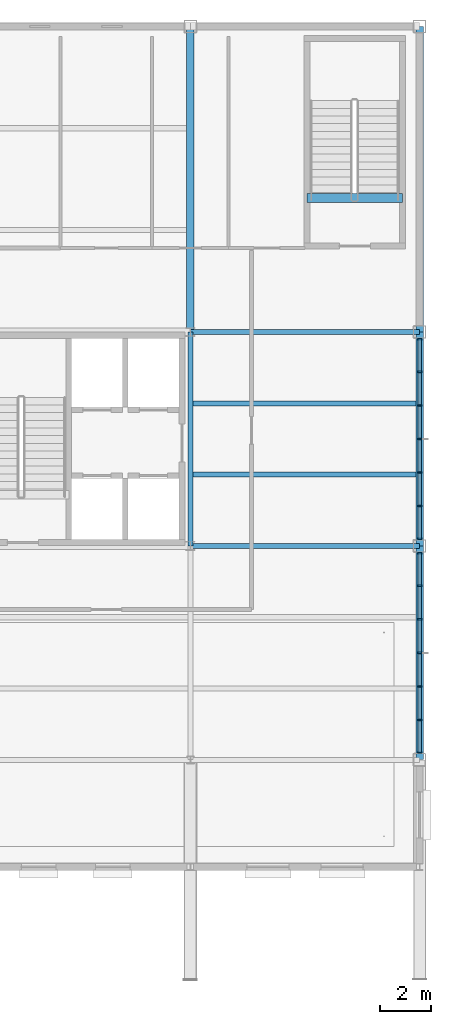
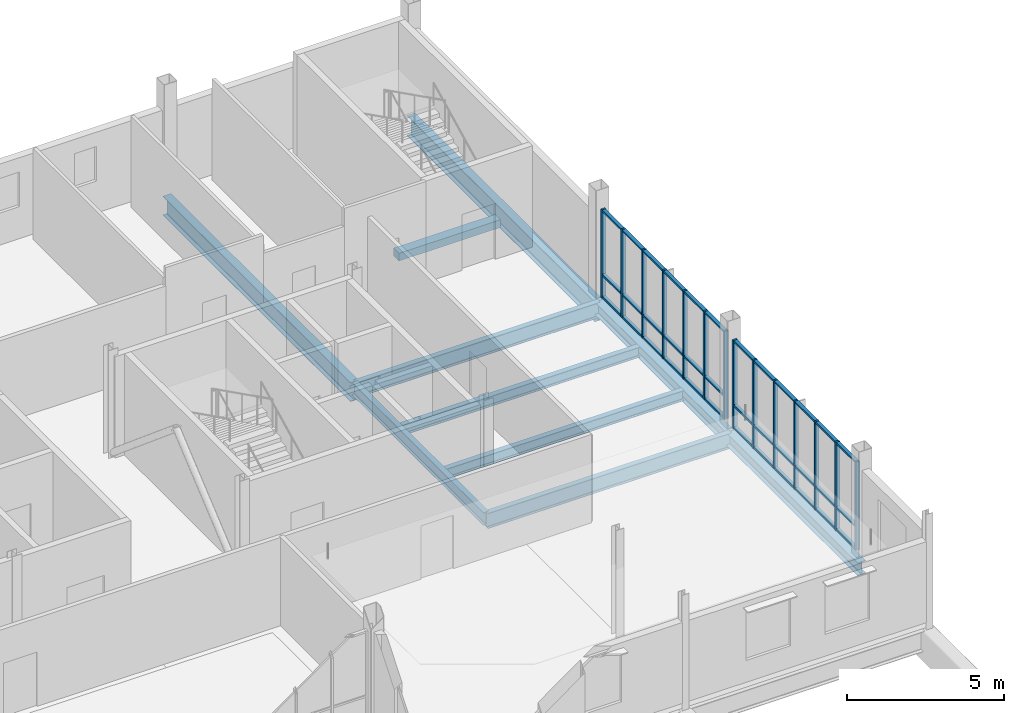
# One storey, part 8 of 22: 50 members, 10 beams, 2 elements without a shape of their own.
"""IFC4 building model written with IfcOpenShell, lengths in metres."""

from ifc_helpers import new_model, si_unit, direction, frame, origin, origin_2d, place, context, subcontext, project, spatial, rectangle, i_section, extrude, material, layer, layer_set, material_profile, profile_set, type_object, element, aggregate, save


model = new_model("IFC4")

# Units and contexts
model_context = context("Model", 3, precision=1e-05, world=origin(), true_north=direction((0.0, 1.0)))
body_context = subcontext(model_context, "Body", "Model", "MODEL_VIEW")
ifc_project = project(units=[si_unit("LENGTHUNIT", "METRE"), si_unit("AREAUNIT", "SQUARE_METRE"), si_unit("VOLUMEUNIT", "CUBIC_METRE"), si_unit("PLANEANGLEUNIT", "RADIAN"), si_unit("MASSUNIT", "GRAM", prefix="KILO")], contexts=[model_context])

# Site, building, storey
site_placement = place(None, origin())
site = spatial("IfcSite", under=ifc_project, at=site_placement, CompositionType="ELEMENT")
building_placement = place(site_placement, origin())
building = spatial("IfcBuilding", under=site, at=building_placement, Name="Yukiwa Park Conservatory and Herbarium", CompositionType="ELEMENT")
storey_placement = place(building_placement, frame((0.0, 0.0, 35.39990234375)))
storey = spatial("IfcBuildingStorey", under=building, at=storey_placement, Name="L09", CompositionType="ELEMENT", Elevation=35.39990234375)

# Beams
ifc_material_1 = material(Name="Steel Q355D", Category="steel")
ifc_material_profile_1 = material_profile(ifc_material_1, i_section(OverallWidth=0.199951171875, OverallDepth=0.5, WebThickness=0.010009765625, FlangeThickness=0.01611328125, FilletRadius=0.02001953125, at=origin_2d()), Name="HN 500x200x10x16")
ifc_profile_set_1 = profile_set([ifc_material_profile_1], Name="Steel Q355D")
beam_type_1 = type_object("IfcBeamType", Name="BM-GRD-HN500", PredefinedType="BEAM", material=ifc_profile_set_1)
beam_1_placement = place(storey_placement, frame((159.0, 94.805908203125, -0.554931640625), z_axis=(0.0, 1.0, 0.0), x_axis=(-1.0, 0.0, 0.0)))
element("IfcBeam", 1, at=beam_1_placement, inside=storey, type_object=beam_type_1, Name="L09 grid girder Y-38", PredefinedType="BEAM", context=body_context, shape_type="SweptSolid", body=[
    extrude(i_section(OverallWidth=0.199951171875, OverallDepth=0.5, WebThickness=0.010009765625, FlangeThickness=0.01611328125, FilletRadius=0.02001953125, at=origin_2d()), origin(), (0.0, 0.0, 1.0), 8.38818359375),
])
ifc_material_2 = material(Name="Steel Q355D", Category="steel")
ifc_material_profile_2 = material_profile(ifc_material_2, i_section(OverallWidth=0.199951171875, OverallDepth=0.60009765625, WebThickness=0.010986328125, FlangeThickness=0.01708984375, FilletRadius=0.02197265625, at=origin_2d()), Name="HN 600x200x11x17")
ifc_profile_set_2 = profile_set([ifc_material_profile_2], Name="Steel Q355D")
beam_type_2 = type_object("IfcBeamType", Name="BM-GRD-HN600", PredefinedType="BEAM", material=ifc_profile_set_2)
for number, where, z_axis, x_axis, name in (
    (2, (159.006103515625, 94.800048828125, -0.60498046875), (1.0, 0.0, 0.0), (0.0, 1.0, 0.0), "L09 grid beam X-13"),
    (3, (159.006103515625, 103.199951171875, -0.60498046875), (1.0, 0.0, 0.0), (0.0, 1.0, 0.0), "L09 grid beam X-18"),
):
    element("IfcBeam", number, at=place(storey_placement, frame(where, z_axis=z_axis, x_axis=x_axis)), inside=storey, type_object=beam_type_2, Name=name, PredefinedType="BEAM", context=body_context, shape_type="SweptSolid", body=[
        extrude(i_section(OverallWidth=0.199951171875, OverallDepth=0.60009765625, WebThickness=0.010986328125, FlangeThickness=0.01708984375, FilletRadius=0.02197265625, at=origin_2d()), origin(), (0.0, 0.0, 1.0), 8.98779296875),
    ])
ifc_material_3 = material(Name="Steel Q355D", Category="steel")
ifc_material_profile_3 = material_profile(ifc_material_3, i_section(OverallWidth=0.300048828125, OverallDepth=0.75, WebThickness=0.012939453125, FlangeThickness=0.02392578125, FilletRadius=0.028076171875, at=origin_2d()), Name="HN 750x300x13x24")
ifc_profile_set_3 = profile_set([ifc_material_profile_3], Name="Steel Q355D")
beam_type_3 = type_object("IfcBeamType", Name="BM-GRD-HN750", PredefinedType="BEAM", material=ifc_profile_set_3)
beam_2_placement = place(storey_placement, frame((159.0, 103.2060546875, -0.679931640625), z_axis=(0.0, 1.0, 0.0), x_axis=(-1.0, 0.0, 0.0)))
element("IfcBeam", 4, at=beam_2_placement, inside=storey, type_object=beam_type_3, Name="L09 grid girder Y-39", PredefinedType="BEAM", context=body_context, shape_type="SweptSolid", body=[
    extrude(i_section(OverallWidth=0.300048828125, OverallDepth=0.75, WebThickness=0.012939453125, FlangeThickness=0.02392578125, FilletRadius=0.028076171875, at=origin_2d()), origin(), (0.0, 0.0, 1.0), 11.988037109375),
])
ifc_material_4 = material(Name="Steel Q355D", Category="steel")
ifc_material_profile_4 = material_profile(ifc_material_4, i_section(OverallWidth=0.199951171875, OverallDepth=0.39990234375, WebThickness=0.008056640625, FlangeThickness=0.012939453125, FilletRadius=0.01611328125, at=origin_2d()), Name="HN 400x200x8x13")
ifc_profile_set_4 = profile_set([ifc_material_profile_4], Name="Steel Q355D")
beam_type_4 = type_object("IfcBeamType", Name="BM-JST-HN400", PredefinedType="JOIST", material=ifc_profile_set_4)
for number, where, z_axis, x_axis, name in (
    (5, (159.095947265625, 97.60009765625, -0.5048828125), (1.0, 0.0, 0.0), (0.0, 1.0, 0.0), "L09 composite floor joist 23"),
    (6, (159.095947265625, 100.39990234375, -0.5048828125), (1.0, 0.0, 0.0), (0.0, 1.0, 0.0), "L09 composite floor joist 24"),
):
    element("IfcBeam", number, at=place(storey_placement, frame(where, z_axis=z_axis, x_axis=x_axis)), inside=storey, type_object=beam_type_4, Name=name, PredefinedType="JOIST", context=body_context, shape_type="SweptSolid", body=[
        extrude(i_section(OverallWidth=0.199951171875, OverallDepth=0.39990234375, WebThickness=0.008056640625, FlangeThickness=0.012939453125, FilletRadius=0.01611328125, at=origin_2d()), origin(), (0.0, 0.0, 1.0), 8.758056640625),
    ])
ifc_material_5 = material(Name="Steel Q355D", Category="steel")
ifc_material_profile_5 = material_profile(ifc_material_5, i_section(OverallWidth=0.300048828125, OverallDepth=0.5, WebThickness=0.010986328125, FlangeThickness=0.01806640625, FilletRadius=0.02392578125, at=origin_2d()), Name="HM 500x300x11x18")
ifc_profile_set_5 = profile_set([ifc_material_profile_5], Name="Steel Q355D")
beam_type_5 = type_object("IfcBeamType", Name="BM-SPN-HN500", PredefinedType="SPANDREL", material=ifc_profile_set_5)
beam_3_placement = place(storey_placement, frame((168.0, 86.406005859375, -0.554931640625), z_axis=(0.0, 1.0, 0.0), x_axis=(-1.0, 0.0, 0.0)))
element("IfcBeam", 7, at=beam_3_placement, inside=storey, type_object=beam_type_5, Name="L09 spandrel girder Y-40", PredefinedType="SPANDREL", context=body_context, shape_type="SweptSolid", body=[
    extrude(i_section(OverallWidth=0.300048828125, OverallDepth=0.5, WebThickness=0.010986328125, FlangeThickness=0.01806640625, FilletRadius=0.02392578125, at=origin_2d()), origin(), (0.0, 0.0, 1.0), 8.387939453125),
])
beam_4_placement = place(storey_placement, frame((168.0, 94.805908203125, -0.554931640625), z_axis=(0.0, 1.0, 0.0), x_axis=(-1.0, 0.0, 0.0)))
element("IfcBeam", 8, at=beam_4_placement, inside=storey, type_object=beam_type_5, Name="L09 spandrel girder Y-41", PredefinedType="SPANDREL", context=body_context, shape_type="SweptSolid", body=[
    extrude(i_section(OverallWidth=0.300048828125, OverallDepth=0.5, WebThickness=0.010986328125, FlangeThickness=0.01806640625, FilletRadius=0.02392578125, at=origin_2d()), origin(), (0.0, 0.0, 1.0), 8.38818359375),
])
ifc_material_6 = material(Name="Steel Q355D", Category="steel")
ifc_material_profile_6 = material_profile(ifc_material_6, i_section(OverallWidth=0.300048828125, OverallDepth=0.7919921875, WebThickness=0.013916015625, FlangeThickness=0.02197265625, FilletRadius=0.028076171875, at=origin_2d()), Name="HN 792x300x14x22")
ifc_profile_set_6 = profile_set([ifc_material_profile_6], Name="Steel Q355D")
beam_type_6 = type_object("IfcBeamType", Name="BM-SPN-HN600", PredefinedType="SPANDREL", material=ifc_profile_set_6)
beam_5_placement = place(storey_placement, frame((168.0, 103.2060546875, -0.700927734375), z_axis=(0.0, 1.0, 0.0), x_axis=(-1.0, 0.0, 0.0)))
element("IfcBeam", 9, at=beam_5_placement, inside=storey, type_object=beam_type_6, Name="L09 spandrel girder Y-42", PredefinedType="SPANDREL", context=body_context, shape_type="SweptSolid", body=[
    extrude(i_section(OverallWidth=0.300048828125, OverallDepth=0.7919921875, WebThickness=0.013916015625, FlangeThickness=0.02197265625, FilletRadius=0.028076171875, at=origin_2d()), origin(), (0.0, 0.0, 1.0), 11.988037109375),
])
ifc_material_7 = material(Name="Concrete C40", Category="concrete")
ifc_material_profile_7 = material_profile(ifc_material_7, rectangle(XDim=0.35009765625, YDim=0.300048828125, at=origin_2d()), Name="RC 350x300")
ifc_profile_set_7 = profile_set([ifc_material_profile_7], Name="Concrete C40")
beam_type_7 = type_object("IfcBeamType", Name="BM-STAIR-TRIM", PredefinedType="BEAM", material=ifc_profile_set_7)
beam_6_placement = place(storey_placement, frame((163.570068359375, 108.4599609375, -0.14990234375), z_axis=(1.0, 0.0, 0.0), x_axis=(0.0, 1.0, 0.0)))
element("IfcBeam", 10, at=beam_6_placement, inside=storey, type_object=beam_type_7, Name="Stair ST-T3 L09 landing trimmer beam", PredefinedType="BEAM", context=body_context, shape_type="SweptSolid", body=[
    extrude(rectangle(XDim=0.35009765625, YDim=0.300048828125, at=origin_2d()), origin(), (0.0, 0.0, 1.0), 3.75),
])

# Curtain wall, members
ifc_material_8 = material(Name="Triple Low-E Insulated Glass", Category="glass")
ifc_layer = layer(ifc_material_8, 0.22412109375)
ifc_layer_set = layer_set([ifc_layer], Name="Triple Low-E Insulated Glass")
curtain_wall_type = type_object("IfcCurtainWallType", Name="CW-TOWER-CORNER-1400", PredefinedType="NOTDEFINED", material=ifc_layer_set)
curtain_wall_1_placement = place(storey_placement, origin())
curtain_wall_1 = element("IfcCurtainWall", 11, at=curtain_wall_1_placement, inside=storey, type_object=curtain_wall_type, Name="L09 unitised curtain wall CW-L09-099", PredefinedType="NOTDEFINED")
ifc_material_9 = material(Name="Anodised Aluminium", Category="aluminium")
member_type_1 = type_object("IfcMemberType", Name="MB-CW-MUL-70X150", PredefinedType="MULLION", material=ifc_material_9)
member_1_placement = place(storey_placement, frame((168.0, 86.68505859375, 0.0), z_axis=(0.0, 0.0, 1.0), x_axis=(0.0, 1.0, 0.0)))
member_1 = element("IfcMember", 12, at=member_1_placement, type_object=member_type_1, Name="CW-L09-099 mullion 1", PredefinedType="MULLION", context=body_context, shape_type="SweptSolid", body=[
    extrude(rectangle(XDim=0.070068359375, YDim=0.14990234375, at=origin_2d()), origin(), (0.0, 0.0, 1.0), 3.447998046875),
])
member_2_placement = place(storey_placement, frame((168.0, 87.966796875, 0.0), z_axis=(0.0, 0.0, 1.0), x_axis=(0.0, 1.0, 0.0)))
member_2 = element("IfcMember", 13, at=member_2_placement, type_object=member_type_1, Name="CW-L09-099 mullion 2", PredefinedType="MULLION", context=body_context, shape_type="SweptSolid", body=[
    extrude(rectangle(XDim=0.070068359375, YDim=0.14990234375, at=origin_2d()), origin(), (0.0, 0.0, 1.0), 3.447998046875),
])
member_3_placement = place(storey_placement, frame((168.0, 89.283203125, 0.0), z_axis=(0.0, 0.0, 1.0), x_axis=(0.0, 1.0, 0.0)))
member_3 = element("IfcMember", 14, at=member_3_placement, type_object=member_type_1, Name="CW-L09-099 mullion 3", PredefinedType="MULLION", context=body_context, shape_type="SweptSolid", body=[
    extrude(rectangle(XDim=0.070068359375, YDim=0.14990234375, at=origin_2d()), origin(), (0.0, 0.0, 1.0), 3.447998046875),
])
member_4_placement = place(storey_placement, frame((168.0, 90.60009765625, 0.0), z_axis=(0.0, 0.0, 1.0), x_axis=(0.0, 1.0, 0.0)))
member_4 = element("IfcMember", 15, at=member_4_placement, type_object=member_type_1, Name="CW-L09-099 mullion 4", PredefinedType="MULLION", context=body_context, shape_type="SweptSolid", body=[
    extrude(rectangle(XDim=0.070068359375, YDim=0.14990234375, at=origin_2d()), origin(), (0.0, 0.0, 1.0), 3.447998046875),
])
member_5_placement = place(storey_placement, frame((168.0, 91.916748046875, 0.0), z_axis=(0.0, 0.0, 1.0), x_axis=(0.0, 1.0, 0.0)))
member_5 = element("IfcMember", 16, at=member_5_placement, type_object=member_type_1, Name="CW-L09-099 mullion 5", PredefinedType="MULLION", context=body_context, shape_type="SweptSolid", body=[
    extrude(rectangle(XDim=0.070068359375, YDim=0.14990234375, at=origin_2d()), origin(), (0.0, 0.0, 1.0), 3.447998046875),
])
member_6_placement = place(storey_placement, frame((168.0, 93.2333984375, 0.0), z_axis=(0.0, 0.0, 1.0), x_axis=(0.0, 1.0, 0.0)))
member_6 = element("IfcMember", 17, at=member_6_placement, type_object=member_type_1, Name="CW-L09-099 mullion 6", PredefinedType="MULLION", context=body_context, shape_type="SweptSolid", body=[
    extrude(rectangle(XDim=0.070068359375, YDim=0.14990234375, at=origin_2d()), origin(), (0.0, 0.0, 1.0), 3.447998046875),
])
member_7_placement = place(storey_placement, frame((168.0, 94.514892578125, 0.0), z_axis=(0.0, 0.0, 1.0), x_axis=(0.0, 1.0, 0.0)))
member_7 = element("IfcMember", 18, at=member_7_placement, type_object=member_type_1, Name="CW-L09-099 mullion 7", PredefinedType="MULLION", context=body_context, shape_type="SweptSolid", body=[
    extrude(rectangle(XDim=0.070068359375, YDim=0.14990234375, at=origin_2d()), origin(), (0.0, 0.0, 1.0), 3.447998046875),
])

curtain_wall_2_placement = place(storey_placement, origin())
curtain_wall_2 = element("IfcCurtainWall", 19, at=curtain_wall_2_placement, inside=storey, type_object=curtain_wall_type, Name="L09 unitised curtain wall CW-L09-100", PredefinedType="NOTDEFINED")
member_8_placement = place(storey_placement, frame((168.0, 95.0849609375, 0.0), z_axis=(0.0, 0.0, 1.0), x_axis=(0.0, 1.0, 0.0)))
member_8 = element("IfcMember", 20, at=member_8_placement, type_object=member_type_1, Name="CW-L09-100 mullion 1", PredefinedType="MULLION", context=body_context, shape_type="SweptSolid", body=[
    extrude(rectangle(XDim=0.070068359375, YDim=0.14990234375, at=origin_2d()), origin(), (0.0, 0.0, 1.0), 3.447998046875),
])
member_9_placement = place(storey_placement, frame((168.0, 96.36669921875, 0.0), z_axis=(0.0, 0.0, 1.0), x_axis=(0.0, 1.0, 0.0)))
member_9 = element("IfcMember", 21, at=member_9_placement, type_object=member_type_1, Name="CW-L09-100 mullion 2", PredefinedType="MULLION", context=body_context, shape_type="SweptSolid", body=[
    extrude(rectangle(XDim=0.070068359375, YDim=0.14990234375, at=origin_2d()), origin(), (0.0, 0.0, 1.0), 3.447998046875),
])
member_10_placement = place(storey_placement, frame((168.0, 97.683349609375, 0.0), z_axis=(0.0, 0.0, 1.0), x_axis=(0.0, 1.0, 0.0)))
member_10 = element("IfcMember", 22, at=member_10_placement, type_object=member_type_1, Name="CW-L09-100 mullion 3", PredefinedType="MULLION", context=body_context, shape_type="SweptSolid", body=[
    extrude(rectangle(XDim=0.070068359375, YDim=0.14990234375, at=origin_2d()), origin(), (0.0, 0.0, 1.0), 3.447998046875),
])
member_11_placement = place(storey_placement, frame((168.0, 99.0, 0.0), z_axis=(0.0, 0.0, 1.0), x_axis=(0.0, 1.0, 0.0)))
member_11 = element("IfcMember", 23, at=member_11_placement, type_object=member_type_1, Name="CW-L09-100 mullion 4", PredefinedType="MULLION", context=body_context, shape_type="SweptSolid", body=[
    extrude(rectangle(XDim=0.070068359375, YDim=0.14990234375, at=origin_2d()), origin(), (0.0, 0.0, 1.0), 3.447998046875),
])
member_12_placement = place(storey_placement, frame((168.0, 100.316650390625, 0.0), z_axis=(0.0, 0.0, 1.0), x_axis=(0.0, 1.0, 0.0)))
member_12 = element("IfcMember", 24, at=member_12_placement, type_object=member_type_1, Name="CW-L09-100 mullion 5", PredefinedType="MULLION", context=body_context, shape_type="SweptSolid", body=[
    extrude(rectangle(XDim=0.070068359375, YDim=0.14990234375, at=origin_2d()), origin(), (0.0, 0.0, 1.0), 3.447998046875),
])
member_13_placement = place(storey_placement, frame((168.0, 101.63330078125, 0.0), z_axis=(0.0, 0.0, 1.0), x_axis=(0.0, 1.0, 0.0)))
member_13 = element("IfcMember", 25, at=member_13_placement, type_object=member_type_1, Name="CW-L09-100 mullion 6", PredefinedType="MULLION", context=body_context, shape_type="SweptSolid", body=[
    extrude(rectangle(XDim=0.070068359375, YDim=0.14990234375, at=origin_2d()), origin(), (0.0, 0.0, 1.0), 3.447998046875),
])
member_14_placement = place(storey_placement, frame((168.0, 102.9150390625, 0.0), z_axis=(0.0, 0.0, 1.0), x_axis=(0.0, 1.0, 0.0)))
member_14 = element("IfcMember", 26, at=member_14_placement, type_object=member_type_1, Name="CW-L09-100 mullion 7", PredefinedType="MULLION", context=body_context, shape_type="SweptSolid", body=[
    extrude(rectangle(XDim=0.070068359375, YDim=0.14990234375, at=origin_2d()), origin(), (0.0, 0.0, 1.0), 3.447998046875),
])

# Member
ifc_material_10 = material(Name="Anodised Aluminium", Category="aluminium")
member_type_2 = type_object("IfcMemberType", Name="MB-CW-TRN-70X130", PredefinedType="USERDEFINED", material=ifc_material_10)
member_15_placement = place(storey_placement, frame((168.0, 87.308349609375, 0.0), z_axis=(0.0, 0.0, 1.0), x_axis=(0.0, 1.0, 0.0)))
member_15 = element("IfcMember", 27, at=member_15_placement, type_object=member_type_2, Name="CW-L09-099 transom 1.1", ObjectType="TRANSOM", PredefinedType="USERDEFINED", context=body_context, shape_type="SweptSolid", body=[
    extrude(rectangle(XDim=1.24658203125, YDim=0.1298828125, at=origin_2d()), origin(), (0.0, 0.0, 1.0), 0.070068359375),
])

member_16_placement = place(storey_placement, frame((168.0, 87.308349609375, 0.865234375), z_axis=(0.0, 0.0, 1.0), x_axis=(0.0, 1.0, 0.0)))
member_16 = element("IfcMember", 28, at=member_16_placement, type_object=member_type_2, Name="CW-L09-099 transom 1.2", ObjectType="TRANSOM", PredefinedType="USERDEFINED", context=body_context, shape_type="SweptSolid", body=[
    extrude(rectangle(XDim=1.24658203125, YDim=0.1298828125, at=origin_2d()), origin(), (0.0, 0.0, 1.0), 0.070068359375),
])

member_17_placement = place(storey_placement, frame((168.0, 87.308349609375, 3.3779296875), z_axis=(0.0, 0.0, 1.0), x_axis=(0.0, 1.0, 0.0)))
member_17 = element("IfcMember", 29, at=member_17_placement, type_object=member_type_2, Name="CW-L09-099 transom 1.3", ObjectType="TRANSOM", PredefinedType="USERDEFINED", context=body_context, shape_type="SweptSolid", body=[
    extrude(rectangle(XDim=1.24658203125, YDim=0.1298828125, at=origin_2d()), origin(), (0.0, 0.0, 1.0), 0.070068359375),
])

member_18_placement = place(storey_placement, frame((168.0, 88.625, 0.0), z_axis=(0.0, 0.0, 1.0), x_axis=(0.0, 1.0, 0.0)))
member_18 = element("IfcMember", 30, at=member_18_placement, type_object=member_type_2, Name="CW-L09-099 transom 2.1", ObjectType="TRANSOM", PredefinedType="USERDEFINED", context=body_context, shape_type="SweptSolid", body=[
    extrude(rectangle(XDim=1.24658203125, YDim=0.1298828125, at=origin_2d()), origin(), (0.0, 0.0, 1.0), 0.070068359375),
])

member_19_placement = place(storey_placement, frame((168.0, 88.625, 0.865234375), z_axis=(0.0, 0.0, 1.0), x_axis=(0.0, 1.0, 0.0)))
member_19 = element("IfcMember", 31, at=member_19_placement, type_object=member_type_2, Name="CW-L09-099 transom 2.2", ObjectType="TRANSOM", PredefinedType="USERDEFINED", context=body_context, shape_type="SweptSolid", body=[
    extrude(rectangle(XDim=1.24658203125, YDim=0.1298828125, at=origin_2d()), origin(), (0.0, 0.0, 1.0), 0.070068359375),
])

member_20_placement = place(storey_placement, frame((168.0, 88.625, 3.3779296875), z_axis=(0.0, 0.0, 1.0), x_axis=(0.0, 1.0, 0.0)))
member_20 = element("IfcMember", 32, at=member_20_placement, type_object=member_type_2, Name="CW-L09-099 transom 2.3", ObjectType="TRANSOM", PredefinedType="USERDEFINED", context=body_context, shape_type="SweptSolid", body=[
    extrude(rectangle(XDim=1.24658203125, YDim=0.1298828125, at=origin_2d()), origin(), (0.0, 0.0, 1.0), 0.070068359375),
])

member_21_placement = place(storey_placement, frame((168.0, 89.941650390625, 0.0), z_axis=(0.0, 0.0, 1.0), x_axis=(0.0, 1.0, 0.0)))
member_21 = element("IfcMember", 33, at=member_21_placement, type_object=member_type_2, Name="CW-L09-099 transom 3.1", ObjectType="TRANSOM", PredefinedType="USERDEFINED", context=body_context, shape_type="SweptSolid", body=[
    extrude(rectangle(XDim=1.24658203125, YDim=0.1298828125, at=origin_2d()), origin(), (0.0, 0.0, 1.0), 0.070068359375),
])

member_22_placement = place(storey_placement, frame((168.0, 89.941650390625, 0.865234375), z_axis=(0.0, 0.0, 1.0), x_axis=(0.0, 1.0, 0.0)))
member_22 = element("IfcMember", 34, at=member_22_placement, type_object=member_type_2, Name="CW-L09-099 transom 3.2", ObjectType="TRANSOM", PredefinedType="USERDEFINED", context=body_context, shape_type="SweptSolid", body=[
    extrude(rectangle(XDim=1.24658203125, YDim=0.1298828125, at=origin_2d()), origin(), (0.0, 0.0, 1.0), 0.070068359375),
])

member_23_placement = place(storey_placement, frame((168.0, 89.941650390625, 3.3779296875), z_axis=(0.0, 0.0, 1.0), x_axis=(0.0, 1.0, 0.0)))
member_23 = element("IfcMember", 35, at=member_23_placement, type_object=member_type_2, Name="CW-L09-099 transom 3.3", ObjectType="TRANSOM", PredefinedType="USERDEFINED", context=body_context, shape_type="SweptSolid", body=[
    extrude(rectangle(XDim=1.24658203125, YDim=0.1298828125, at=origin_2d()), origin(), (0.0, 0.0, 1.0), 0.070068359375),
])

member_24_placement = place(storey_placement, frame((168.0, 91.25830078125, 0.0), z_axis=(0.0, 0.0, 1.0), x_axis=(0.0, 1.0, 0.0)))
member_24 = element("IfcMember", 36, at=member_24_placement, type_object=member_type_2, Name="CW-L09-099 transom 4.1", ObjectType="TRANSOM", PredefinedType="USERDEFINED", context=body_context, shape_type="SweptSolid", body=[
    extrude(rectangle(XDim=1.24658203125, YDim=0.1298828125, at=origin_2d()), origin(), (0.0, 0.0, 1.0), 0.070068359375),
])

member_25_placement = place(storey_placement, frame((168.0, 91.25830078125, 0.865234375), z_axis=(0.0, 0.0, 1.0), x_axis=(0.0, 1.0, 0.0)))
member_25 = element("IfcMember", 37, at=member_25_placement, type_object=member_type_2, Name="CW-L09-099 transom 4.2", ObjectType="TRANSOM", PredefinedType="USERDEFINED", context=body_context, shape_type="SweptSolid", body=[
    extrude(rectangle(XDim=1.24658203125, YDim=0.1298828125, at=origin_2d()), origin(), (0.0, 0.0, 1.0), 0.070068359375),
])

member_26_placement = place(storey_placement, frame((168.0, 91.25830078125, 3.3779296875), z_axis=(0.0, 0.0, 1.0), x_axis=(0.0, 1.0, 0.0)))
member_26 = element("IfcMember", 38, at=member_26_placement, type_object=member_type_2, Name="CW-L09-099 transom 4.3", ObjectType="TRANSOM", PredefinedType="USERDEFINED", context=body_context, shape_type="SweptSolid", body=[
    extrude(rectangle(XDim=1.24658203125, YDim=0.1298828125, at=origin_2d()), origin(), (0.0, 0.0, 1.0), 0.070068359375),
])

member_27_placement = place(storey_placement, frame((168.0, 92.574951171875, 0.0), z_axis=(0.0, 0.0, 1.0), x_axis=(0.0, 1.0, 0.0)))
member_27 = element("IfcMember", 39, at=member_27_placement, type_object=member_type_2, Name="CW-L09-099 transom 5.1", ObjectType="TRANSOM", PredefinedType="USERDEFINED", context=body_context, shape_type="SweptSolid", body=[
    extrude(rectangle(XDim=1.24658203125, YDim=0.1298828125, at=origin_2d()), origin(), (0.0, 0.0, 1.0), 0.070068359375),
])

member_28_placement = place(storey_placement, frame((168.0, 92.574951171875, 0.865234375), z_axis=(0.0, 0.0, 1.0), x_axis=(0.0, 1.0, 0.0)))
member_28 = element("IfcMember", 40, at=member_28_placement, type_object=member_type_2, Name="CW-L09-099 transom 5.2", ObjectType="TRANSOM", PredefinedType="USERDEFINED", context=body_context, shape_type="SweptSolid", body=[
    extrude(rectangle(XDim=1.24658203125, YDim=0.1298828125, at=origin_2d()), origin(), (0.0, 0.0, 1.0), 0.070068359375),
])

member_29_placement = place(storey_placement, frame((168.0, 92.574951171875, 3.3779296875), z_axis=(0.0, 0.0, 1.0), x_axis=(0.0, 1.0, 0.0)))
member_29 = element("IfcMember", 41, at=member_29_placement, type_object=member_type_2, Name="CW-L09-099 transom 5.3", ObjectType="TRANSOM", PredefinedType="USERDEFINED", context=body_context, shape_type="SweptSolid", body=[
    extrude(rectangle(XDim=1.24658203125, YDim=0.1298828125, at=origin_2d()), origin(), (0.0, 0.0, 1.0), 0.070068359375),
])

member_30_placement = place(storey_placement, frame((168.0, 93.8916015625, 0.0), z_axis=(0.0, 0.0, 1.0), x_axis=(0.0, 1.0, 0.0)))
member_30 = element("IfcMember", 42, at=member_30_placement, type_object=member_type_2, Name="CW-L09-099 transom 6.1", ObjectType="TRANSOM", PredefinedType="USERDEFINED", context=body_context, shape_type="SweptSolid", body=[
    extrude(rectangle(XDim=1.24658203125, YDim=0.1298828125, at=origin_2d()), origin(), (0.0, 0.0, 1.0), 0.070068359375),
])

member_31_placement = place(storey_placement, frame((168.0, 93.8916015625, 0.865234375), z_axis=(0.0, 0.0, 1.0), x_axis=(0.0, 1.0, 0.0)))
member_31 = element("IfcMember", 43, at=member_31_placement, type_object=member_type_2, Name="CW-L09-099 transom 6.2", ObjectType="TRANSOM", PredefinedType="USERDEFINED", context=body_context, shape_type="SweptSolid", body=[
    extrude(rectangle(XDim=1.24658203125, YDim=0.1298828125, at=origin_2d()), origin(), (0.0, 0.0, 1.0), 0.070068359375),
])

member_32_placement = place(storey_placement, frame((168.0, 93.8916015625, 3.3779296875), z_axis=(0.0, 0.0, 1.0), x_axis=(0.0, 1.0, 0.0)))
member_32 = element("IfcMember", 44, at=member_32_placement, type_object=member_type_2, Name="CW-L09-099 transom 6.3", ObjectType="TRANSOM", PredefinedType="USERDEFINED", context=body_context, shape_type="SweptSolid", body=[
    extrude(rectangle(XDim=1.24658203125, YDim=0.1298828125, at=origin_2d()), origin(), (0.0, 0.0, 1.0), 0.070068359375),
])

aggregate(curtain_wall_1, [member_1, member_2, member_3, member_4, member_5, member_6, member_7, member_15, member_16, member_17, member_18, member_19, member_20, member_21, member_22, member_23, member_24, member_25, member_26, member_27, member_28, member_29, member_30, member_31, member_32])

member_33_placement = place(storey_placement, frame((168.0, 95.708251953125, 0.0), z_axis=(0.0, 0.0, 1.0), x_axis=(0.0, 1.0, 0.0)))
member_33 = element("IfcMember", 45, at=member_33_placement, type_object=member_type_2, Name="CW-L09-100 transom 1.1", ObjectType="TRANSOM", PredefinedType="USERDEFINED", context=body_context, shape_type="SweptSolid", body=[
    extrude(rectangle(XDim=1.24658203125, YDim=0.1298828125, at=origin_2d()), origin(), (0.0, 0.0, 1.0), 0.070068359375),
])

member_34_placement = place(storey_placement, frame((168.0, 95.708251953125, 0.865234375), z_axis=(0.0, 0.0, 1.0), x_axis=(0.0, 1.0, 0.0)))
member_34 = element("IfcMember", 46, at=member_34_placement, type_object=member_type_2, Name="CW-L09-100 transom 1.2", ObjectType="TRANSOM", PredefinedType="USERDEFINED", context=body_context, shape_type="SweptSolid", body=[
    extrude(rectangle(XDim=1.24658203125, YDim=0.1298828125, at=origin_2d()), origin(), (0.0, 0.0, 1.0), 0.070068359375),
])

member_35_placement = place(storey_placement, frame((168.0, 95.708251953125, 3.3779296875), z_axis=(0.0, 0.0, 1.0), x_axis=(0.0, 1.0, 0.0)))
member_35 = element("IfcMember", 47, at=member_35_placement, type_object=member_type_2, Name="CW-L09-100 transom 1.3", ObjectType="TRANSOM", PredefinedType="USERDEFINED", context=body_context, shape_type="SweptSolid", body=[
    extrude(rectangle(XDim=1.24658203125, YDim=0.1298828125, at=origin_2d()), origin(), (0.0, 0.0, 1.0), 0.070068359375),
])

member_36_placement = place(storey_placement, frame((168.0, 97.02490234375, 0.0), z_axis=(0.0, 0.0, 1.0), x_axis=(0.0, 1.0, 0.0)))
member_36 = element("IfcMember", 48, at=member_36_placement, type_object=member_type_2, Name="CW-L09-100 transom 2.1", ObjectType="TRANSOM", PredefinedType="USERDEFINED", context=body_context, shape_type="SweptSolid", body=[
    extrude(rectangle(XDim=1.24658203125, YDim=0.1298828125, at=origin_2d()), origin(), (0.0, 0.0, 1.0), 0.070068359375),
])

member_37_placement = place(storey_placement, frame((168.0, 97.02490234375, 0.865234375), z_axis=(0.0, 0.0, 1.0), x_axis=(0.0, 1.0, 0.0)))
member_37 = element("IfcMember", 49, at=member_37_placement, type_object=member_type_2, Name="CW-L09-100 transom 2.2", ObjectType="TRANSOM", PredefinedType="USERDEFINED", context=body_context, shape_type="SweptSolid", body=[
    extrude(rectangle(XDim=1.24658203125, YDim=0.1298828125, at=origin_2d()), origin(), (0.0, 0.0, 1.0), 0.070068359375),
])

member_38_placement = place(storey_placement, frame((168.0, 97.02490234375, 3.3779296875), z_axis=(0.0, 0.0, 1.0), x_axis=(0.0, 1.0, 0.0)))
member_38 = element("IfcMember", 50, at=member_38_placement, type_object=member_type_2, Name="CW-L09-100 transom 2.3", ObjectType="TRANSOM", PredefinedType="USERDEFINED", context=body_context, shape_type="SweptSolid", body=[
    extrude(rectangle(XDim=1.24658203125, YDim=0.1298828125, at=origin_2d()), origin(), (0.0, 0.0, 1.0), 0.070068359375),
])

member_39_placement = place(storey_placement, frame((168.0, 98.341796875, 0.0), z_axis=(0.0, 0.0, 1.0), x_axis=(0.0, 1.0, 0.0)))
member_39 = element("IfcMember", 51, at=member_39_placement, type_object=member_type_2, Name="CW-L09-100 transom 3.1", ObjectType="TRANSOM", PredefinedType="USERDEFINED", context=body_context, shape_type="SweptSolid", body=[
    extrude(rectangle(XDim=1.24658203125, YDim=0.1298828125, at=origin_2d()), origin(), (0.0, 0.0, 1.0), 0.070068359375),
])

member_40_placement = place(storey_placement, frame((168.0, 98.341796875, 0.865234375), z_axis=(0.0, 0.0, 1.0), x_axis=(0.0, 1.0, 0.0)))
member_40 = element("IfcMember", 52, at=member_40_placement, type_object=member_type_2, Name="CW-L09-100 transom 3.2", ObjectType="TRANSOM", PredefinedType="USERDEFINED", context=body_context, shape_type="SweptSolid", body=[
    extrude(rectangle(XDim=1.24658203125, YDim=0.1298828125, at=origin_2d()), origin(), (0.0, 0.0, 1.0), 0.070068359375),
])

member_41_placement = place(storey_placement, frame((168.0, 98.341796875, 3.3779296875), z_axis=(0.0, 0.0, 1.0), x_axis=(0.0, 1.0, 0.0)))
member_41 = element("IfcMember", 53, at=member_41_placement, type_object=member_type_2, Name="CW-L09-100 transom 3.3", ObjectType="TRANSOM", PredefinedType="USERDEFINED", context=body_context, shape_type="SweptSolid", body=[
    extrude(rectangle(XDim=1.24658203125, YDim=0.1298828125, at=origin_2d()), origin(), (0.0, 0.0, 1.0), 0.070068359375),
])

member_42_placement = place(storey_placement, frame((168.0, 99.658203125, 0.0), z_axis=(0.0, 0.0, 1.0), x_axis=(0.0, 1.0, 0.0)))
member_42 = element("IfcMember", 54, at=member_42_placement, type_object=member_type_2, Name="CW-L09-100 transom 4.1", ObjectType="TRANSOM", PredefinedType="USERDEFINED", context=body_context, shape_type="SweptSolid", body=[
    extrude(rectangle(XDim=1.24658203125, YDim=0.1298828125, at=origin_2d()), origin(), (0.0, 0.0, 1.0), 0.070068359375),
])

member_43_placement = place(storey_placement, frame((168.0, 99.658203125, 0.865234375), z_axis=(0.0, 0.0, 1.0), x_axis=(0.0, 1.0, 0.0)))
member_43 = element("IfcMember", 55, at=member_43_placement, type_object=member_type_2, Name="CW-L09-100 transom 4.2", ObjectType="TRANSOM", PredefinedType="USERDEFINED", context=body_context, shape_type="SweptSolid", body=[
    extrude(rectangle(XDim=1.24658203125, YDim=0.1298828125, at=origin_2d()), origin(), (0.0, 0.0, 1.0), 0.070068359375),
])

member_44_placement = place(storey_placement, frame((168.0, 99.658203125, 3.3779296875), z_axis=(0.0, 0.0, 1.0), x_axis=(0.0, 1.0, 0.0)))
member_44 = element("IfcMember", 56, at=member_44_placement, type_object=member_type_2, Name="CW-L09-100 transom 4.3", ObjectType="TRANSOM", PredefinedType="USERDEFINED", context=body_context, shape_type="SweptSolid", body=[
    extrude(rectangle(XDim=1.24658203125, YDim=0.1298828125, at=origin_2d()), origin(), (0.0, 0.0, 1.0), 0.070068359375),
])

member_45_placement = place(storey_placement, frame((168.0, 100.97509765625, 0.0), z_axis=(0.0, 0.0, 1.0), x_axis=(0.0, 1.0, 0.0)))
member_45 = element("IfcMember", 57, at=member_45_placement, type_object=member_type_2, Name="CW-L09-100 transom 5.1", ObjectType="TRANSOM", PredefinedType="USERDEFINED", context=body_context, shape_type="SweptSolid", body=[
    extrude(rectangle(XDim=1.24658203125, YDim=0.1298828125, at=origin_2d()), origin(), (0.0, 0.0, 1.0), 0.070068359375),
])

member_46_placement = place(storey_placement, frame((168.0, 100.97509765625, 0.865234375), z_axis=(0.0, 0.0, 1.0), x_axis=(0.0, 1.0, 0.0)))
member_46 = element("IfcMember", 58, at=member_46_placement, type_object=member_type_2, Name="CW-L09-100 transom 5.2", ObjectType="TRANSOM", PredefinedType="USERDEFINED", context=body_context, shape_type="SweptSolid", body=[
    extrude(rectangle(XDim=1.24658203125, YDim=0.1298828125, at=origin_2d()), origin(), (0.0, 0.0, 1.0), 0.070068359375),
])

member_47_placement = place(storey_placement, frame((168.0, 100.97509765625, 3.3779296875), z_axis=(0.0, 0.0, 1.0), x_axis=(0.0, 1.0, 0.0)))
member_47 = element("IfcMember", 59, at=member_47_placement, type_object=member_type_2, Name="CW-L09-100 transom 5.3", ObjectType="TRANSOM", PredefinedType="USERDEFINED", context=body_context, shape_type="SweptSolid", body=[
    extrude(rectangle(XDim=1.24658203125, YDim=0.1298828125, at=origin_2d()), origin(), (0.0, 0.0, 1.0), 0.070068359375),
])

member_48_placement = place(storey_placement, frame((168.0, 102.291748046875, 0.0), z_axis=(0.0, 0.0, 1.0), x_axis=(0.0, 1.0, 0.0)))
member_48 = element("IfcMember", 60, at=member_48_placement, type_object=member_type_2, Name="CW-L09-100 transom 6.1", ObjectType="TRANSOM", PredefinedType="USERDEFINED", context=body_context, shape_type="SweptSolid", body=[
    extrude(rectangle(XDim=1.24658203125, YDim=0.1298828125, at=origin_2d()), origin(), (0.0, 0.0, 1.0), 0.070068359375),
])

member_49_placement = place(storey_placement, frame((168.0, 102.291748046875, 0.865234375), z_axis=(0.0, 0.0, 1.0), x_axis=(0.0, 1.0, 0.0)))
member_49 = element("IfcMember", 61, at=member_49_placement, type_object=member_type_2, Name="CW-L09-100 transom 6.2", ObjectType="TRANSOM", PredefinedType="USERDEFINED", context=body_context, shape_type="SweptSolid", body=[
    extrude(rectangle(XDim=1.24658203125, YDim=0.1298828125, at=origin_2d()), origin(), (0.0, 0.0, 1.0), 0.070068359375),
])

member_50_placement = place(storey_placement, frame((168.0, 102.291748046875, 3.3779296875), z_axis=(0.0, 0.0, 1.0), x_axis=(0.0, 1.0, 0.0)))
member_50 = element("IfcMember", 62, at=member_50_placement, type_object=member_type_2, Name="CW-L09-100 transom 6.3", ObjectType="TRANSOM", PredefinedType="USERDEFINED", context=body_context, shape_type="SweptSolid", body=[
    extrude(rectangle(XDim=1.24658203125, YDim=0.1298828125, at=origin_2d()), origin(), (0.0, 0.0, 1.0), 0.070068359375),
])

aggregate(curtain_wall_2, [member_8, member_9, member_10, member_11, member_12, member_13, member_14, member_33, member_34, member_35, member_36, member_37, member_38, member_39, member_40, member_41, member_42, member_43, member_44, member_45, member_46, member_47, member_48, member_49, member_50])

save(model, "model.ifc")
